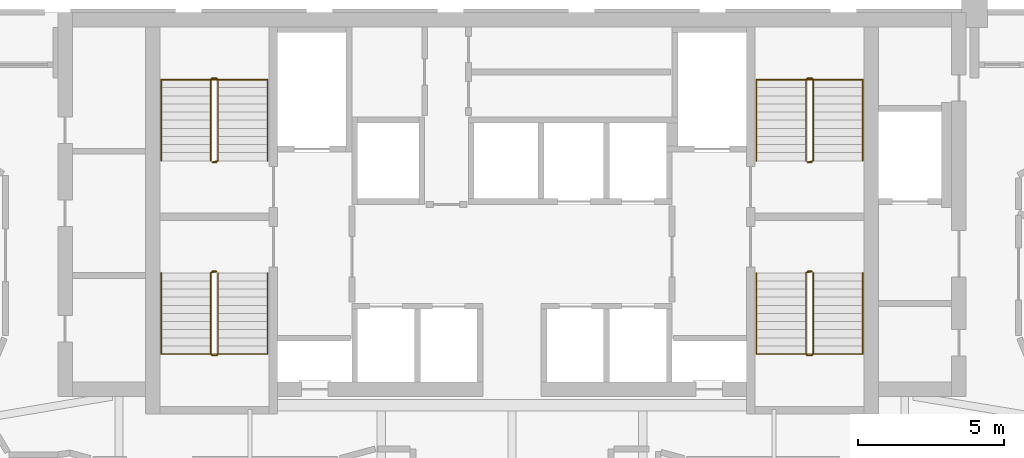
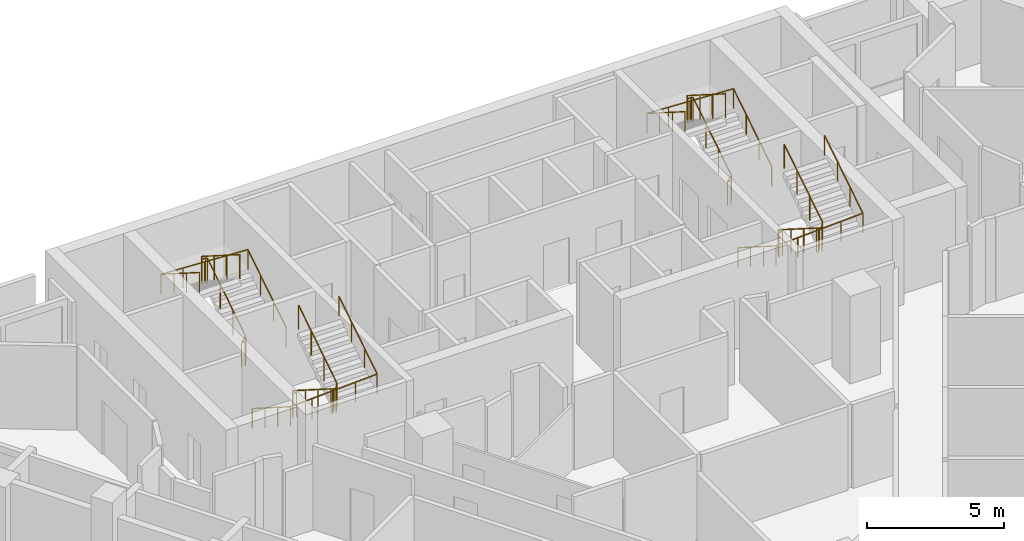
# One storey, part 10 of 10: 8 railings.
"""IFC4 building model written with IfcOpenShell, lengths in metres."""

from ifc_helpers import new_model, si_unit, direction, frame, origin, origin_2d, place, context, subcontext, project, spatial, circle, extrude, material, type_object, element, save


model = new_model("IFC4")

# Units and contexts
model_context = context("Model", 3, precision=1e-05, world=origin(), true_north=direction((0.0, 1.0)))
body_context = subcontext(model_context, "Body", "Model", "MODEL_VIEW")
ifc_project = project(units=[si_unit("LENGTHUNIT", "METRE"), si_unit("AREAUNIT", "SQUARE_METRE"), si_unit("VOLUMEUNIT", "CUBIC_METRE"), si_unit("PLANEANGLEUNIT", "RADIAN"), si_unit("MASSUNIT", "GRAM", prefix="KILO")], contexts=[model_context])

# Site, building, storey
site_placement = place(None, origin())
site = spatial("IfcSite", under=ifc_project, at=site_placement, CompositionType="ELEMENT")
building_placement = place(site_placement, origin())
building = spatial("IfcBuilding", under=site, at=building_placement, Name="Calabash Gate Tower", CompositionType="ELEMENT")
storey_placement = place(building_placement, frame((0.0, 0.0, 164.10009765625)))
storey = spatial("IfcBuildingStorey", under=building, at=storey_placement, Name="L38", CompositionType="ELEMENT", Elevation=164.10009765625)

# Railings
ifc_material_1 = material(Name="Black powder-coated steel balusters", Category="steel")
railing_type_1 = type_object("IfcRailingType", Name="Stair guard RL1100", PredefinedType="GUARDRAIL", material=ifc_material_1)
railing_1_placement = place(storey_placement, frame((-10.14990234375, 13.902587890625, 0.0)))
element("IfcRailing", 1, at=railing_1_placement, inside=storey, type_object=railing_type_1, Name="L38 ST1 stair guard 1", PredefinedType="GUARDRAIL", context=body_context, shape_type="SweptSolid", body=[
    extrude(circle(Radius=0.02392578125, at=origin_2d()), frame((0.0, 0.0, 1.076171875), z_axis=(-1.0, 0.0, 0.0), x_axis=(0.0, -1.0, 0.0)), (0.0, 0.0, 1.0), 0.150146484375),
    extrude(circle(Radius=0.02392578125, at=origin_2d()), frame((-0.150146484375, 0.0, 1.076171875), z_axis=(0.735524641326, 0.184105679453, 0.652003528208), x_axis=(-0.242814311512, 0.970072785993, 0.0)), (0.0, 0.0, 1.0), 0.271728515625),
    extrude(circle(Radius=0.02392578125, at=origin_2d()), frame((0.0498046875, 0.050048828125, 1.25341796875), z_axis=(0.0, 0.844041424197, 0.536277982245), x_axis=(-1.0, 0.0, 0.0)), (0.0, 0.0, 1.0), 3.3056640625),
    extrude(circle(Radius=0.02392578125, at=origin_2d()), frame((0.0498046875, 2.840087890625, 3.02587890625), z_axis=(-0.707106781187, 0.707106781187, 0.0), x_axis=(-0.707106781187, -0.707106781187, 0.0)), (0.0, 0.0, 1.0), 0.0703125),
    extrude(circle(Radius=0.02392578125, at=origin_2d()), frame((0.0, 2.889892578125, 3.02587890625), z_axis=(-1.0, 0.0, 0.0), x_axis=(0.0, -1.0, 0.0)), (0.0, 0.0, 1.0), 0.150146484375),
    extrude(circle(Radius=0.02392578125, at=origin_2d()), frame((-0.150146484375, 2.889892578125, 3.02587890625), z_axis=(-0.262321481514, -0.261041864531, 0.929001929653), x_axis=(0.705375805398, -0.708833529934, 0.0)), (0.0, 0.0, 1.0), 0.190673828125),
    extrude(circle(Radius=0.02392578125, at=origin_2d()), frame((-0.2001953125, 2.840087890625, 3.203125), z_axis=(0.0, -0.844041424197, 0.536277982245), x_axis=(1.0, 0.0, 0.0)), (0.0, 0.0, 1.0), 3.3056640625),
    extrude(circle(Radius=0.02099609375, at=origin_2d()), origin(), (0.0, 0.0, 1.0), 1.052001953125),
    extrude(circle(Radius=0.02099609375, at=origin_2d()), frame((-0.150146484375, 0.0, 0.0)), (0.0, 0.0, 1.0), 1.052001953125),
    extrude(circle(Radius=0.02099609375, at=origin_2d()), frame((0.0498046875, 0.050048828125, 0.17724609375)), (0.0, 0.0, 1.0), 1.052001953125),
    extrude(circle(Radius=0.02099609375, at=origin_2d()), frame((0.0498046875, 0.97998046875, 0.76806640625)), (0.0, 0.0, 1.0), 1.052001953125),
    extrude(circle(Radius=0.02099609375, at=origin_2d()), frame((0.0498046875, 1.91015625, 1.359130859375)), (0.0, 0.0, 1.0), 1.052001953125),
    extrude(circle(Radius=0.02099609375, at=origin_2d()), frame((0.0498046875, 2.840087890625, 1.949951171875)), (0.0, 0.0, 1.0), 1.052001953125),
    extrude(circle(Radius=0.02099609375, at=origin_2d()), frame((0.0, 2.889892578125, 1.949951171875)), (0.0, 0.0, 1.0), 1.052001953125),
    extrude(circle(Radius=0.02099609375, at=origin_2d()), frame((-0.150146484375, 2.889892578125, 1.949951171875)), (0.0, 0.0, 1.0), 1.052001953125),
    extrude(circle(Radius=0.02099609375, at=origin_2d()), frame((-0.2001953125, 2.840087890625, 2.127197265625)), (0.0, 0.0, 1.0), 1.052001953125),
    extrude(circle(Radius=0.02099609375, at=origin_2d()), frame((-0.2001953125, 1.91015625, 2.718017578125)), (0.0, 0.0, 1.0), 1.052001953125),
    extrude(circle(Radius=0.02099609375, at=origin_2d()), frame((-0.2001953125, 0.97998046875, 3.30908203125)), (0.0, 0.0, 1.0), 1.052001953125),
    extrude(circle(Radius=0.02099609375, at=origin_2d()), frame((-0.2001953125, 0.050048828125, 3.89990234375)), (0.0, 0.0, 1.0), 1.052001953125),
])
railing_2_placement = place(storey_placement, frame((-10.300048828125, 10.152587890625, 0.0)))
element("IfcRailing", 2, at=railing_2_placement, inside=storey, type_object=railing_type_1, Name="L38 ST2 stair guard 1", PredefinedType="GUARDRAIL", context=body_context, shape_type="SweptSolid", body=[
    extrude(circle(Radius=0.02392578125, at=origin_2d()), frame((0.0, 0.0, 1.076171875), z_axis=(1.0, 0.0, 0.0), x_axis=(0.0, 1.0, 0.0)), (0.0, 0.0, 1.0), 0.150146484375),
    extrude(circle(Radius=0.02392578125, at=origin_2d()), frame((0.150146484375, 0.0, 1.076171875), z_axis=(-0.735936453418, -0.183984113355, 0.651573006319), x_axis=(0.242535625036, -0.970142500145, 0.0)), (0.0, 0.0, 1.0), 0.27197265625),
    extrude(circle(Radius=0.02392578125, at=origin_2d()), frame((-0.050048828125, -0.050048828125, 1.25341796875), z_axis=(0.0, -0.844041424197, 0.536277982245), x_axis=(1.0, 0.0, 0.0)), (0.0, 0.0, 1.0), 3.3056640625),
    extrude(circle(Radius=0.02392578125, at=origin_2d()), frame((-0.050048828125, -2.840087890625, 3.02587890625), z_axis=(0.708833529934, -0.705375805398, 0.0), x_axis=(0.705375805398, 0.708833529934, 0.0)), (0.0, 0.0, 1.0), 0.070556640625),
    extrude(circle(Radius=0.02392578125, at=origin_2d()), frame((0.0, -2.889892578125, 3.02587890625), z_axis=(1.0, 0.0, 0.0), x_axis=(0.0, 1.0, 0.0)), (0.0, 0.0, 1.0), 0.150146484375),
    extrude(circle(Radius=0.02392578125, at=origin_2d()), frame((0.150146484375, -2.889892578125, 3.02587890625), z_axis=(0.261129318932, 0.261129318932, 0.929313164433), x_axis=(-0.707106781187, 0.707106781187, 0.0)), (0.0, 0.0, 1.0), 0.190673828125),
    extrude(circle(Radius=0.02392578125, at=origin_2d()), frame((0.199951171875, -2.840087890625, 3.203125), z_axis=(0.0, 0.844041424197, 0.536277982245), x_axis=(-1.0, 0.0, 0.0)), (0.0, 0.0, 1.0), 3.3056640625),
    extrude(circle(Radius=0.02099609375, at=origin_2d()), origin(), (0.0, 0.0, 1.0), 1.052001953125),
    extrude(circle(Radius=0.02099609375, at=origin_2d()), frame((0.150146484375, 0.0, 0.0)), (0.0, 0.0, 1.0), 1.052001953125),
    extrude(circle(Radius=0.02099609375, at=origin_2d()), frame((-0.050048828125, -0.050048828125, 0.17724609375)), (0.0, 0.0, 1.0), 1.052001953125),
    extrude(circle(Radius=0.02099609375, at=origin_2d()), frame((-0.050048828125, -0.97998046875, 0.76806640625)), (0.0, 0.0, 1.0), 1.052001953125),
    extrude(circle(Radius=0.02099609375, at=origin_2d()), frame((-0.050048828125, -1.91015625, 1.359130859375)), (0.0, 0.0, 1.0), 1.052001953125),
    extrude(circle(Radius=0.02099609375, at=origin_2d()), frame((-0.050048828125, -2.840087890625, 1.949951171875)), (0.0, 0.0, 1.0), 1.052001953125),
    extrude(circle(Radius=0.02099609375, at=origin_2d()), frame((0.0, -2.889892578125, 1.949951171875)), (0.0, 0.0, 1.0), 1.052001953125),
    extrude(circle(Radius=0.02099609375, at=origin_2d()), frame((0.150146484375, -2.889892578125, 1.949951171875)), (0.0, 0.0, 1.0), 1.052001953125),
    extrude(circle(Radius=0.02099609375, at=origin_2d()), frame((0.199951171875, -2.840087890625, 2.127197265625)), (0.0, 0.0, 1.0), 1.052001953125),
    extrude(circle(Radius=0.02099609375, at=origin_2d()), frame((0.199951171875, -1.91015625, 2.718017578125)), (0.0, 0.0, 1.0), 1.052001953125),
    extrude(circle(Radius=0.02099609375, at=origin_2d()), frame((0.199951171875, -0.97998046875, 3.30908203125)), (0.0, 0.0, 1.0), 1.052001953125),
    extrude(circle(Radius=0.02099609375, at=origin_2d()), frame((0.199951171875, -0.050048828125, 3.89990234375)), (0.0, 0.0, 1.0), 1.052001953125),
])
railing_3_placement = place(storey_placement, frame((10.300048828125, 13.902587890625, 0.0)))
element("IfcRailing", 3, at=railing_3_placement, inside=storey, type_object=railing_type_1, Name="L38 ST3 stair guard 1", PredefinedType="GUARDRAIL", context=body_context, shape_type="SweptSolid", body=[
    extrude(circle(Radius=0.02392578125, at=origin_2d()), frame((0.0, 0.0, 1.076171875), z_axis=(-1.0, 0.0, 0.0), x_axis=(0.0, -1.0, 0.0)), (0.0, 0.0, 1.0), 0.150146484375),
    extrude(circle(Radius=0.02392578125, at=origin_2d()), frame((-0.150146484375, 0.0, 1.076171875), z_axis=(0.735936453418, 0.183984113355, 0.651573006319), x_axis=(-0.242535625036, 0.970142500145, 0.0)), (0.0, 0.0, 1.0), 0.27197265625),
    extrude(circle(Radius=0.02392578125, at=origin_2d()), frame((0.050048828125, 0.050048828125, 1.25341796875), z_axis=(0.0, 0.844041424197, 0.536277982245), x_axis=(-1.0, 0.0, 0.0)), (0.0, 0.0, 1.0), 3.3056640625),
    extrude(circle(Radius=0.02392578125, at=origin_2d()), frame((0.050048828125, 2.840087890625, 3.02587890625), z_axis=(-0.708833529934, 0.705375805398, 0.0), x_axis=(-0.705375805398, -0.708833529934, 0.0)), (0.0, 0.0, 1.0), 0.070556640625),
    extrude(circle(Radius=0.02392578125, at=origin_2d()), frame((0.0, 2.889892578125, 3.02587890625), z_axis=(-1.0, 0.0, 0.0), x_axis=(0.0, -1.0, 0.0)), (0.0, 0.0, 1.0), 0.150146484375),
    extrude(circle(Radius=0.02392578125, at=origin_2d()), frame((-0.150146484375, 2.889892578125, 3.02587890625), z_axis=(-0.261129318932, -0.261129318932, 0.929313164433), x_axis=(0.707106781187, -0.707106781187, 0.0)), (0.0, 0.0, 1.0), 0.190673828125),
    extrude(circle(Radius=0.02392578125, at=origin_2d()), frame((-0.199951171875, 2.840087890625, 3.203125), z_axis=(0.0, -0.844041424197, 0.536277982245), x_axis=(1.0, 0.0, 0.0)), (0.0, 0.0, 1.0), 3.3056640625),
    extrude(circle(Radius=0.02099609375, at=origin_2d()), origin(), (0.0, 0.0, 1.0), 1.052001953125),
    extrude(circle(Radius=0.02099609375, at=origin_2d()), frame((-0.150146484375, 0.0, 0.0)), (0.0, 0.0, 1.0), 1.052001953125),
    extrude(circle(Radius=0.02099609375, at=origin_2d()), frame((0.050048828125, 0.050048828125, 0.17724609375)), (0.0, 0.0, 1.0), 1.052001953125),
    extrude(circle(Radius=0.02099609375, at=origin_2d()), frame((0.050048828125, 0.97998046875, 0.76806640625)), (0.0, 0.0, 1.0), 1.052001953125),
    extrude(circle(Radius=0.02099609375, at=origin_2d()), frame((0.050048828125, 1.91015625, 1.359130859375)), (0.0, 0.0, 1.0), 1.052001953125),
    extrude(circle(Radius=0.02099609375, at=origin_2d()), frame((0.050048828125, 2.840087890625, 1.949951171875)), (0.0, 0.0, 1.0), 1.052001953125),
    extrude(circle(Radius=0.02099609375, at=origin_2d()), frame((0.0, 2.889892578125, 1.949951171875)), (0.0, 0.0, 1.0), 1.052001953125),
    extrude(circle(Radius=0.02099609375, at=origin_2d()), frame((-0.150146484375, 2.889892578125, 1.949951171875)), (0.0, 0.0, 1.0), 1.052001953125),
    extrude(circle(Radius=0.02099609375, at=origin_2d()), frame((-0.199951171875, 2.840087890625, 2.127197265625)), (0.0, 0.0, 1.0), 1.052001953125),
    extrude(circle(Radius=0.02099609375, at=origin_2d()), frame((-0.199951171875, 1.91015625, 2.718017578125)), (0.0, 0.0, 1.0), 1.052001953125),
    extrude(circle(Radius=0.02099609375, at=origin_2d()), frame((-0.199951171875, 0.97998046875, 3.30908203125)), (0.0, 0.0, 1.0), 1.052001953125),
    extrude(circle(Radius=0.02099609375, at=origin_2d()), frame((-0.199951171875, 0.050048828125, 3.89990234375)), (0.0, 0.0, 1.0), 1.052001953125),
])
railing_4_placement = place(storey_placement, frame((10.14990234375, 10.152587890625, 0.0)))
element("IfcRailing", 4, at=railing_4_placement, inside=storey, type_object=railing_type_1, Name="L38 ST4 stair guard 1", PredefinedType="GUARDRAIL", context=body_context, shape_type="SweptSolid", body=[
    extrude(circle(Radius=0.02392578125, at=origin_2d()), frame((0.0, 0.0, 1.076171875), z_axis=(1.0, 0.0, 0.0), x_axis=(0.0, 1.0, 0.0)), (0.0, 0.0, 1.0), 0.150146484375),
    extrude(circle(Radius=0.02392578125, at=origin_2d()), frame((0.150146484375, 0.0, 1.076171875), z_axis=(-0.735524641326, -0.184105679453, 0.652003528208), x_axis=(0.242814311512, -0.970072785993, 0.0)), (0.0, 0.0, 1.0), 0.271728515625),
    extrude(circle(Radius=0.02392578125, at=origin_2d()), frame((-0.0498046875, -0.050048828125, 1.25341796875), z_axis=(0.0, -0.844041424197, 0.536277982245), x_axis=(1.0, 0.0, 0.0)), (0.0, 0.0, 1.0), 3.3056640625),
    extrude(circle(Radius=0.02392578125, at=origin_2d()), frame((-0.0498046875, -2.840087890625, 3.02587890625), z_axis=(0.707106781187, -0.707106781187, 0.0), x_axis=(0.707106781187, 0.707106781187, 0.0)), (0.0, 0.0, 1.0), 0.0703125),
    extrude(circle(Radius=0.02392578125, at=origin_2d()), frame((0.0, -2.889892578125, 3.02587890625), z_axis=(1.0, 0.0, 0.0), x_axis=(0.0, 1.0, 0.0)), (0.0, 0.0, 1.0), 0.150146484375),
    extrude(circle(Radius=0.02392578125, at=origin_2d()), frame((0.150146484375, -2.889892578125, 3.02587890625), z_axis=(0.262321481514, 0.261041864531, 0.929001929653), x_axis=(-0.705375805398, 0.708833529934, 0.0)), (0.0, 0.0, 1.0), 0.190673828125),
    extrude(circle(Radius=0.02392578125, at=origin_2d()), frame((0.2001953125, -2.840087890625, 3.203125), z_axis=(0.0, 0.844041424197, 0.536277982245), x_axis=(-1.0, 0.0, 0.0)), (0.0, 0.0, 1.0), 3.3056640625),
    extrude(circle(Radius=0.02099609375, at=origin_2d()), origin(), (0.0, 0.0, 1.0), 1.052001953125),
    extrude(circle(Radius=0.02099609375, at=origin_2d()), frame((0.150146484375, 0.0, 0.0)), (0.0, 0.0, 1.0), 1.052001953125),
    extrude(circle(Radius=0.02099609375, at=origin_2d()), frame((-0.0498046875, -0.050048828125, 0.17724609375)), (0.0, 0.0, 1.0), 1.052001953125),
    extrude(circle(Radius=0.02099609375, at=origin_2d()), frame((-0.0498046875, -0.97998046875, 0.76806640625)), (0.0, 0.0, 1.0), 1.052001953125),
    extrude(circle(Radius=0.02099609375, at=origin_2d()), frame((-0.0498046875, -1.91015625, 1.359130859375)), (0.0, 0.0, 1.0), 1.052001953125),
    extrude(circle(Radius=0.02099609375, at=origin_2d()), frame((-0.0498046875, -2.840087890625, 1.949951171875)), (0.0, 0.0, 1.0), 1.052001953125),
    extrude(circle(Radius=0.02099609375, at=origin_2d()), frame((0.0, -2.889892578125, 1.949951171875)), (0.0, 0.0, 1.0), 1.052001953125),
    extrude(circle(Radius=0.02099609375, at=origin_2d()), frame((0.150146484375, -2.889892578125, 1.949951171875)), (0.0, 0.0, 1.0), 1.052001953125),
    extrude(circle(Radius=0.02099609375, at=origin_2d()), frame((0.2001953125, -2.840087890625, 2.127197265625)), (0.0, 0.0, 1.0), 1.052001953125),
    extrude(circle(Radius=0.02099609375, at=origin_2d()), frame((0.2001953125, -1.91015625, 2.718017578125)), (0.0, 0.0, 1.0), 1.052001953125),
    extrude(circle(Radius=0.02099609375, at=origin_2d()), frame((0.2001953125, -0.97998046875, 3.30908203125)), (0.0, 0.0, 1.0), 1.052001953125),
    extrude(circle(Radius=0.02099609375, at=origin_2d()), frame((0.2001953125, -0.050048828125, 3.89990234375)), (0.0, 0.0, 1.0), 1.052001953125),
])
ifc_material_2 = material(Name="Black powder-coated steel tube 48 mm", Category="steel")
railing_type_2 = type_object("IfcRailingType", Name="Stair handrail RL900", PredefinedType="HANDRAIL", material=ifc_material_2)
railing_5_placement = place(storey_placement, frame((-8.39990234375, 13.95263671875, 0.17724609375)))
element("IfcRailing", 5, at=railing_5_placement, inside=storey, type_object=railing_type_2, Name="L38 ST1 stair handrail 1", PredefinedType="HANDRAIL", context=body_context, shape_type="SweptSolid", body=[
    extrude(circle(Radius=0.02392578125, at=origin_2d()), frame((0.0, 0.0, 0.8759765625), z_axis=(0.0, 0.844041424197, 0.536277982245), x_axis=(-1.0, 0.0, 0.0)), (0.0, 0.0, 1.0), 3.3056640625),
    extrude(circle(Radius=0.02392578125, at=origin_2d()), frame((0.0, 2.7900390625, 2.6484375), z_axis=(-0.998823110844, 0.0, 0.048501476722), x_axis=(0.0, -1.0, 0.0)), (0.0, 0.0, 1.0), 3.654541015625),
    extrude(circle(Radius=0.02392578125, at=origin_2d()), frame((-3.650146484375, 2.7900390625, 2.82568359375), z_axis=(0.0, -0.844041424197, 0.536277982245), x_axis=(1.0, 0.0, 0.0)), (0.0, 0.0, 1.0), 3.3056640625),
    extrude(circle(Radius=0.02099609375, at=origin_2d()), origin(), (0.0, 0.0, 1.0), 0.851806640625),
    extrude(circle(Radius=0.02099609375, at=origin_2d()), frame((0.0, 0.929931640625, 0.5908203125)), (0.0, 0.0, 1.0), 0.851806640625),
    extrude(circle(Radius=0.02099609375, at=origin_2d()), frame((0.0, 1.860107421875, 1.181884765625)), (0.0, 0.0, 1.0), 0.851806640625),
    extrude(circle(Radius=0.02099609375, at=origin_2d()), frame((0.0, 2.7900390625, 1.772705078125)), (0.0, 0.0, 1.0), 0.851806640625),
    extrude(circle(Radius=0.02099609375, at=origin_2d()), frame((-0.91259765625, 2.7900390625, 1.81689453125)), (0.0, 0.0, 1.0), 0.851806640625),
    extrude(circle(Radius=0.02099609375, at=origin_2d()), frame((-1.8251953125, 2.7900390625, 1.861328125)), (0.0, 0.0, 1.0), 0.851806640625),
    extrude(circle(Radius=0.02099609375, at=origin_2d()), frame((-2.737548828125, 2.7900390625, 1.90576171875)), (0.0, 0.0, 1.0), 0.851806640625),
    extrude(circle(Radius=0.02099609375, at=origin_2d()), frame((-3.650146484375, 2.7900390625, 1.949951171875)), (0.0, 0.0, 1.0), 0.851806640625),
    extrude(circle(Radius=0.02099609375, at=origin_2d()), frame((-3.650146484375, 1.860107421875, 2.540771484375)), (0.0, 0.0, 1.0), 0.851806640625),
    extrude(circle(Radius=0.02099609375, at=origin_2d()), frame((-3.650146484375, 0.929931640625, 3.1318359375)), (0.0, 0.0, 1.0), 0.851806640625),
    extrude(circle(Radius=0.02099609375, at=origin_2d()), frame((-3.650146484375, 0.0, 3.72265625)), (0.0, 0.0, 1.0), 0.851806640625),
])
railing_6_placement = place(storey_placement, frame((-12.050048828125, 10.1025390625, 0.17724609375)))
element("IfcRailing", 6, at=railing_6_placement, inside=storey, type_object=railing_type_2, Name="L38 ST2 stair handrail 1", PredefinedType="HANDRAIL", context=body_context, shape_type="SweptSolid", body=[
    extrude(circle(Radius=0.02392578125, at=origin_2d()), frame((0.0, 0.0, 0.8759765625), z_axis=(0.0, -0.844041424197, 0.536277982245), x_axis=(1.0, 0.0, 0.0)), (0.0, 0.0, 1.0), 3.3056640625),
    extrude(circle(Radius=0.02392578125, at=origin_2d()), frame((0.0, -2.7900390625, 2.6484375), z_axis=(0.998823110844, 0.0, 0.048501476722), x_axis=(0.0, 1.0, 0.0)), (0.0, 0.0, 1.0), 3.654541015625),
    extrude(circle(Radius=0.02392578125, at=origin_2d()), frame((3.650146484375, -2.7900390625, 2.82568359375), z_axis=(0.0, 0.844041424197, 0.536277982245), x_axis=(-1.0, 0.0, 0.0)), (0.0, 0.0, 1.0), 3.3056640625),
    extrude(circle(Radius=0.02099609375, at=origin_2d()), origin(), (0.0, 0.0, 1.0), 0.851806640625),
    extrude(circle(Radius=0.02099609375, at=origin_2d()), frame((0.0, -0.929931640625, 0.5908203125)), (0.0, 0.0, 1.0), 0.851806640625),
    extrude(circle(Radius=0.02099609375, at=origin_2d()), frame((0.0, -1.860107421875, 1.181884765625)), (0.0, 0.0, 1.0), 0.851806640625),
    extrude(circle(Radius=0.02099609375, at=origin_2d()), frame((0.0, -2.7900390625, 1.772705078125)), (0.0, 0.0, 1.0), 0.851806640625),
    extrude(circle(Radius=0.02099609375, at=origin_2d()), frame((0.91259765625, -2.7900390625, 1.81689453125)), (0.0, 0.0, 1.0), 0.851806640625),
    extrude(circle(Radius=0.02099609375, at=origin_2d()), frame((1.8251953125, -2.7900390625, 1.861328125)), (0.0, 0.0, 1.0), 0.851806640625),
    extrude(circle(Radius=0.02099609375, at=origin_2d()), frame((2.737548828125, -2.7900390625, 1.90576171875)), (0.0, 0.0, 1.0), 0.851806640625),
    extrude(circle(Radius=0.02099609375, at=origin_2d()), frame((3.650146484375, -2.7900390625, 1.949951171875)), (0.0, 0.0, 1.0), 0.851806640625),
    extrude(circle(Radius=0.02099609375, at=origin_2d()), frame((3.650146484375, -1.860107421875, 2.540771484375)), (0.0, 0.0, 1.0), 0.851806640625),
    extrude(circle(Radius=0.02099609375, at=origin_2d()), frame((3.650146484375, -0.929931640625, 3.1318359375)), (0.0, 0.0, 1.0), 0.851806640625),
    extrude(circle(Radius=0.02099609375, at=origin_2d()), frame((3.650146484375, 0.0, 3.72265625)), (0.0, 0.0, 1.0), 0.851806640625),
])
railing_7_placement = place(storey_placement, frame((12.050048828125, 13.95263671875, 0.17724609375)))
element("IfcRailing", 7, at=railing_7_placement, inside=storey, type_object=railing_type_2, Name="L38 ST3 stair handrail 1", PredefinedType="HANDRAIL", context=body_context, shape_type="SweptSolid", body=[
    extrude(circle(Radius=0.02392578125, at=origin_2d()), frame((0.0, 0.0, 0.8759765625), z_axis=(0.0, 0.844041424197, 0.536277982245), x_axis=(-1.0, 0.0, 0.0)), (0.0, 0.0, 1.0), 3.3056640625),
    extrude(circle(Radius=0.02392578125, at=origin_2d()), frame((0.0, 2.7900390625, 2.6484375), z_axis=(-0.998823110844, 0.0, 0.048501476722), x_axis=(0.0, -1.0, 0.0)), (0.0, 0.0, 1.0), 3.654541015625),
    extrude(circle(Radius=0.02392578125, at=origin_2d()), frame((-3.650146484375, 2.7900390625, 2.82568359375), z_axis=(0.0, -0.844041424197, 0.536277982245), x_axis=(1.0, 0.0, 0.0)), (0.0, 0.0, 1.0), 3.3056640625),
    extrude(circle(Radius=0.02099609375, at=origin_2d()), origin(), (0.0, 0.0, 1.0), 0.851806640625),
    extrude(circle(Radius=0.02099609375, at=origin_2d()), frame((0.0, 0.929931640625, 0.5908203125)), (0.0, 0.0, 1.0), 0.851806640625),
    extrude(circle(Radius=0.02099609375, at=origin_2d()), frame((0.0, 1.860107421875, 1.181884765625)), (0.0, 0.0, 1.0), 0.851806640625),
    extrude(circle(Radius=0.02099609375, at=origin_2d()), frame((0.0, 2.7900390625, 1.772705078125)), (0.0, 0.0, 1.0), 0.851806640625),
    extrude(circle(Radius=0.02099609375, at=origin_2d()), frame((-0.91259765625, 2.7900390625, 1.81689453125)), (0.0, 0.0, 1.0), 0.851806640625),
    extrude(circle(Radius=0.02099609375, at=origin_2d()), frame((-1.8251953125, 2.7900390625, 1.861328125)), (0.0, 0.0, 1.0), 0.851806640625),
    extrude(circle(Radius=0.02099609375, at=origin_2d()), frame((-2.737548828125, 2.7900390625, 1.90576171875)), (0.0, 0.0, 1.0), 0.851806640625),
    extrude(circle(Radius=0.02099609375, at=origin_2d()), frame((-3.650146484375, 2.7900390625, 1.949951171875)), (0.0, 0.0, 1.0), 0.851806640625),
    extrude(circle(Radius=0.02099609375, at=origin_2d()), frame((-3.650146484375, 1.860107421875, 2.540771484375)), (0.0, 0.0, 1.0), 0.851806640625),
    extrude(circle(Radius=0.02099609375, at=origin_2d()), frame((-3.650146484375, 0.929931640625, 3.1318359375)), (0.0, 0.0, 1.0), 0.851806640625),
    extrude(circle(Radius=0.02099609375, at=origin_2d()), frame((-3.650146484375, 0.0, 3.72265625)), (0.0, 0.0, 1.0), 0.851806640625),
])
railing_8_placement = place(storey_placement, frame((8.39990234375, 10.1025390625, 0.17724609375)))
element("IfcRailing", 8, at=railing_8_placement, inside=storey, type_object=railing_type_2, Name="L38 ST4 stair handrail 1", PredefinedType="HANDRAIL", context=body_context, shape_type="SweptSolid", body=[
    extrude(circle(Radius=0.02392578125, at=origin_2d()), frame((0.0, 0.0, 0.8759765625), z_axis=(0.0, -0.844041424197, 0.536277982245), x_axis=(1.0, 0.0, 0.0)), (0.0, 0.0, 1.0), 3.3056640625),
    extrude(circle(Radius=0.02392578125, at=origin_2d()), frame((0.0, -2.7900390625, 2.6484375), z_axis=(0.998823110844, 0.0, 0.048501476722), x_axis=(0.0, 1.0, 0.0)), (0.0, 0.0, 1.0), 3.654541015625),
    extrude(circle(Radius=0.02392578125, at=origin_2d()), frame((3.650146484375, -2.7900390625, 2.82568359375), z_axis=(0.0, 0.844041424197, 0.536277982245), x_axis=(-1.0, 0.0, 0.0)), (0.0, 0.0, 1.0), 3.3056640625),
    extrude(circle(Radius=0.02099609375, at=origin_2d()), origin(), (0.0, 0.0, 1.0), 0.851806640625),
    extrude(circle(Radius=0.02099609375, at=origin_2d()), frame((0.0, -0.929931640625, 0.5908203125)), (0.0, 0.0, 1.0), 0.851806640625),
    extrude(circle(Radius=0.02099609375, at=origin_2d()), frame((0.0, -1.860107421875, 1.181884765625)), (0.0, 0.0, 1.0), 0.851806640625),
    extrude(circle(Radius=0.02099609375, at=origin_2d()), frame((0.0, -2.7900390625, 1.772705078125)), (0.0, 0.0, 1.0), 0.851806640625),
    extrude(circle(Radius=0.02099609375, at=origin_2d()), frame((0.91259765625, -2.7900390625, 1.81689453125)), (0.0, 0.0, 1.0), 0.851806640625),
    extrude(circle(Radius=0.02099609375, at=origin_2d()), frame((1.8251953125, -2.7900390625, 1.861328125)), (0.0, 0.0, 1.0), 0.851806640625),
    extrude(circle(Radius=0.02099609375, at=origin_2d()), frame((2.737548828125, -2.7900390625, 1.90576171875)), (0.0, 0.0, 1.0), 0.851806640625),
    extrude(circle(Radius=0.02099609375, at=origin_2d()), frame((3.650146484375, -2.7900390625, 1.949951171875)), (0.0, 0.0, 1.0), 0.851806640625),
    extrude(circle(Radius=0.02099609375, at=origin_2d()), frame((3.650146484375, -1.860107421875, 2.540771484375)), (0.0, 0.0, 1.0), 0.851806640625),
    extrude(circle(Radius=0.02099609375, at=origin_2d()), frame((3.650146484375, -0.929931640625, 3.1318359375)), (0.0, 0.0, 1.0), 0.851806640625),
    extrude(circle(Radius=0.02099609375, at=origin_2d()), frame((3.650146484375, 0.0, 3.72265625)), (0.0, 0.0, 1.0), 0.851806640625),
])

save(model, "model.ifc")
